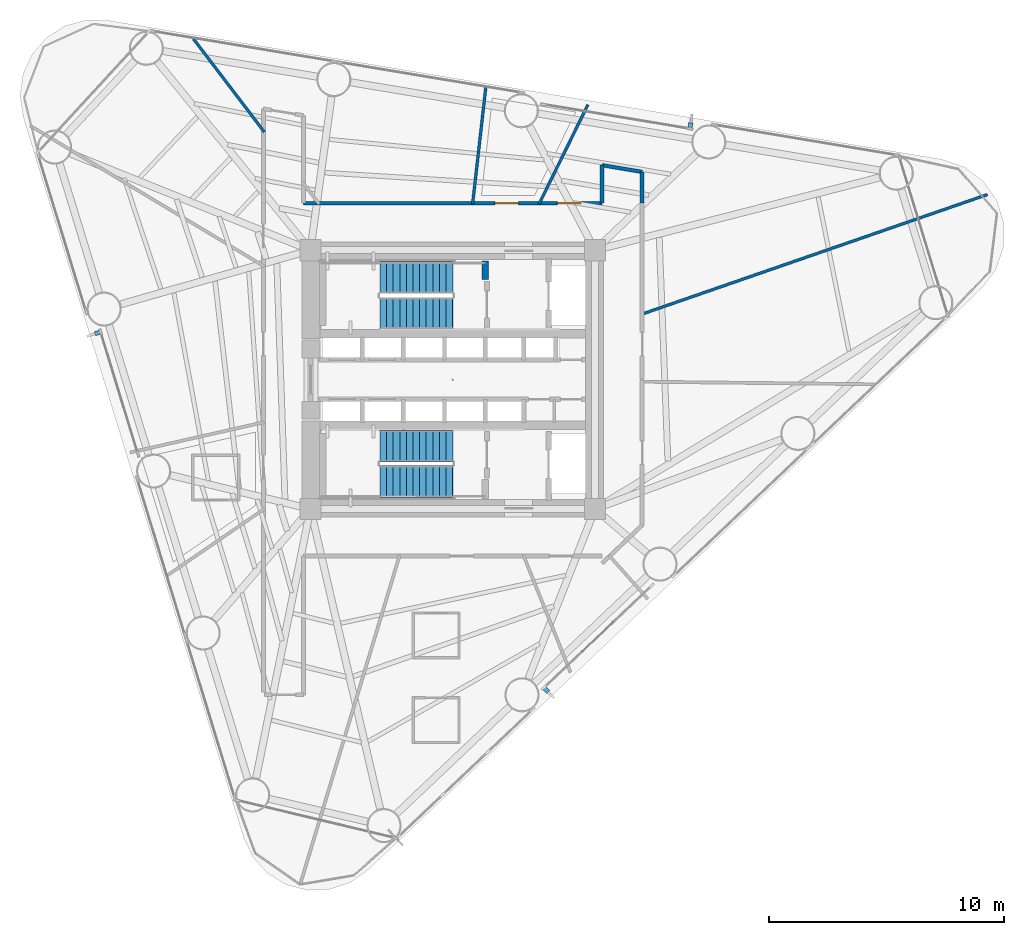
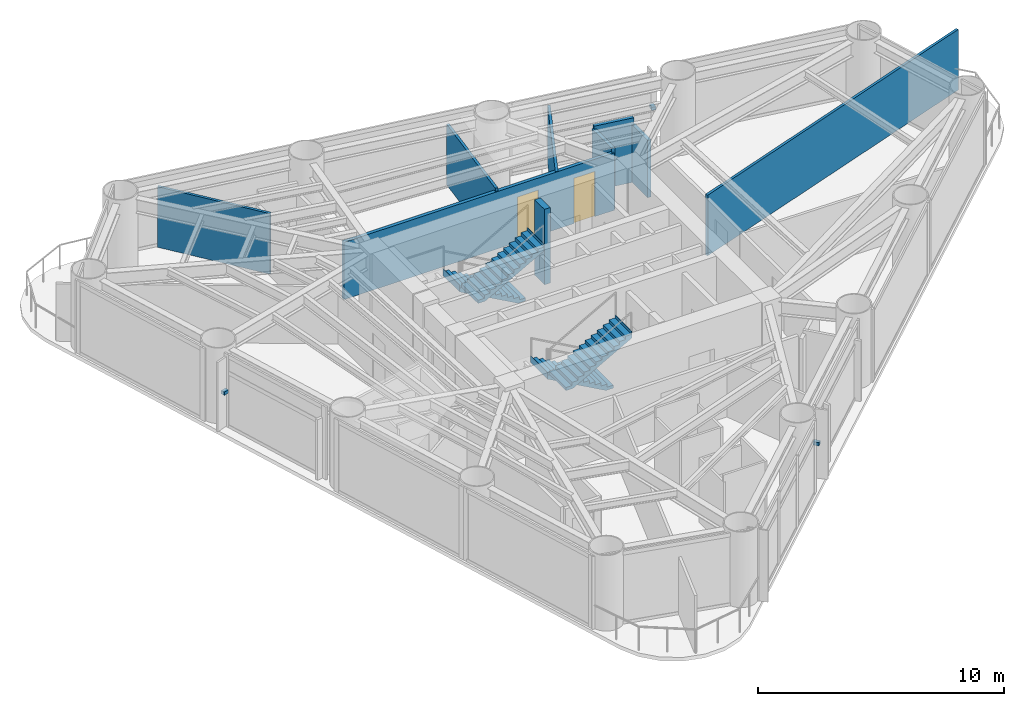
# One storey, part 7 of 10: 9 walls, 4 stair flights, 3 discrete accessories, 2 doors, 2 openings, 2 elements without a shape of their own.
"""IFC4 building model written with IfcOpenShell, lengths in metres."""

import ifcopenshell
import ifcopenshell.guid

model = None  # the IFC model being written
_history = None  # IfcOwnerHistory: only IFC2X3 demands one
_inside = {}  # id of a spatial element -> (the spatial element, [elements in it])
_under = {}  # id of a project, library or spatial element -> (it, [spatial elements below it])
_declared = {}  # id of a project -> (the project, [libraries it declares])
_typed = {}  # id of a type object -> (the type object, [elements of that type])
_made_of = {}  # id of a material, layer set ... -> (it, [elements and type objects made of it])


def new_model(schema):
    """Start an empty IFC model of exactly this schema.

    Asked for "IFC4X3", IfcOpenShell would pick the latest addendum, in which some entities
    have other attributes; the version numbers below select the first issue.
    IFC2X3 requires an IfcOwnerHistory on every rooted entity: one is made here for all.
    """
    global model, _history
    if schema == "IFC4X3":
        model = ifcopenshell.file(schema_version=(4, 3, 0, 0))
    else:
        model = ifcopenshell.file(schema=schema)
    _inside.clear()
    _under.clear()
    _declared.clear()
    _typed.clear()
    _made_of.clear()
    _history = None
    if model.schema == "IFC2X3":
        org = make("IfcOrganization", Name="unknown")
        user = make(
            "IfcPersonAndOrganization",
            ThePerson=make("IfcPerson", FamilyName="unknown"),
            TheOrganization=org,
        )
        app = make(
            "IfcApplication",
            ApplicationDeveloper=org,
            Version="unknown",
            ApplicationFullName="unknown",
            ApplicationIdentifier="unknown",
        )
        _history = make(
            "IfcOwnerHistory",
            OwningUser=user,
            OwningApplication=app,
            ChangeAction="ADDED",
            CreationDate=0,
        )
    return model


def make(cls, **values):
    """One entity of the class cls with the attributes given. An attribute that is None is left unset."""
    return model.create_entity(
        cls, **{name: value for name, value in values.items() if value is not None}
    )


def rooted(cls, **values):
    """An entity with a GlobalId (a new one), such as an element, a storey or a relation."""
    return make(cls, GlobalId=ifcopenshell.guid.new(), OwnerHistory=_history, **values)


def si_unit(unit_type, name, prefix=None):
    """IfcSIUnit, for example si_unit("LENGTHUNIT", "METRE", prefix="MILLI")."""
    return make("IfcSIUnit", UnitType=unit_type, Prefix=prefix, Name=name)


def assignment(units):
    """IfcUnitAssignment: the units of a project."""
    return None if units is None else make("IfcUnitAssignment", Units=units)


def point(xyz):
    """IfcCartesianPoint."""
    return None if xyz is None else make("IfcCartesianPoint", Coordinates=xyz)


def direction(xyz):
    """IfcDirection."""
    return None if xyz is None else make("IfcDirection", DirectionRatios=xyz)


def frame(location, z_axis=None, x_axis=None):
    """IfcAxis2Placement3D, a coordinate frame: its origin and axes. An axis left out is left unset."""
    return make(
        "IfcAxis2Placement3D",
        Location=point(location),
        Axis=direction(z_axis),
        RefDirection=direction(x_axis),
    )


def frame_2d(location, x_axis=None):
    """IfcAxis2Placement2D, a coordinate frame in the plane: its origin and x axis."""
    return make(
        "IfcAxis2Placement2D", Location=point(location), RefDirection=direction(x_axis)
    )


def origin():
    """The frame at (0, 0, 0) with its axes left unset."""
    return frame((0.0, 0.0, 0.0))


def origin_2d():
    """The frame at (0, 0) in the plane with its x axis left unset."""
    return frame_2d((0.0, 0.0))


def place(relative_to, where):
    """IfcLocalPlacement: puts the frame where relative to a parent placement (None: the world)."""
    return make(
        "IfcLocalPlacement", PlacementRelTo=relative_to, RelativePlacement=where
    )


def context(
    kind, dimensions, precision=None, world=None, true_north=None, identifier=None
):
    """IfcGeometricRepresentationContext, for example the 3D "Model" context."""
    return make(
        "IfcGeometricRepresentationContext",
        ContextIdentifier=identifier,
        ContextType=kind,
        CoordinateSpaceDimension=dimensions,
        Precision=precision,
        WorldCoordinateSystem=world,
        TrueNorth=true_north,
    )


def subcontext(parent, identifier, kind, view, scale=None):
    """IfcGeometricRepresentationSubContext, for example "Body" below "Model"."""
    return make(
        "IfcGeometricRepresentationSubContext",
        ContextIdentifier=identifier,
        ContextType=kind,
        ParentContext=parent,
        TargetScale=scale,
        TargetView=view,
    )


def project(units=None, contexts=None):
    """IfcProject with its units and contexts."""
    return rooted(
        "IfcProject",
        Name="project",
        RepresentationContexts=contexts,
        UnitsInContext=assignment(units),
    )


def spatial(cls, under=None, at=None, **own):
    """A site, building, storey or space (cls), placed at a placement, below another one or the project."""
    s = rooted(cls, ObjectPlacement=at, **own)
    if under is not None:
        _under.setdefault(under.id(), (under, []))[1].append(s)
    return s


def polyline(points):
    """IfcPolyline through the points."""
    return make("IfcPolyline", Points=[point(p) for p in points])


def profile(cls, at=None, kind="AREA", **sizes):
    """A parametric profile (cls). Its sizes go by their IFC names, for example OverallWidth=200.0."""
    return make(cls, ProfileType=kind, Position=at, **sizes)


def rectangle(**sizes):
    """IfcRectangleProfileDef."""
    return profile("IfcRectangleProfileDef", **sizes)


def outline(outer, holes=None, kind="AREA"):
    """IfcArbitraryClosedProfileDef: a profile drawn as a closed curve; with holes, ...WithVoids."""
    if holes is None:
        return make("IfcArbitraryClosedProfileDef", ProfileType=kind, OuterCurve=outer)
    return make(
        "IfcArbitraryProfileDefWithVoids",
        ProfileType=kind,
        OuterCurve=outer,
        InnerCurves=holes,
    )


def extrude(swept, where, along, depth):
    """IfcExtrudedAreaSolid: the profile swept, set in the frame where, extruded along a direction by depth."""
    return make(
        "IfcExtrudedAreaSolid",
        SweptArea=swept,
        Position=where,
        ExtrudedDirection=direction(along),
        Depth=depth,
    )


def shape(context_of_items, identifier, shape_type, items):
    """IfcShapeRepresentation: the items that make up one representation, for example the "Body"."""
    return make(
        "IfcShapeRepresentation",
        ContextOfItems=context_of_items,
        RepresentationIdentifier=identifier,
        RepresentationType=shape_type,
        Items=items,
    )


def source(mapping_origin, context_of_items, identifier, shape_type, items):
    """IfcRepresentationMap: a shape defined once, which mapped items show again and again."""
    return make(
        "IfcRepresentationMap",
        MappingOrigin=mapping_origin,
        MappedRepresentation=shape(context_of_items, identifier, shape_type, items),
    )


def transform(
    local_origin,
    x_axis=None,
    y_axis=None,
    z_axis=None,
    scale=None,
    scale2=None,
    scale3=None,
    uniform=True,
):
    """IfcCartesianTransformationOperator3D, or its non-uniform kind. x_axis, y_axis, z_axis: its Axis1, 2, 3."""
    if uniform:
        return make(
            "IfcCartesianTransformationOperator3D",
            Axis1=direction(x_axis),
            Axis2=direction(y_axis),
            LocalOrigin=point(local_origin),
            Scale=scale,
            Axis3=direction(z_axis),
        )
    return make(
        "IfcCartesianTransformationOperator3DnonUniform",
        Axis1=direction(x_axis),
        Axis2=direction(y_axis),
        LocalOrigin=point(local_origin),
        Scale=scale,
        Axis3=direction(z_axis),
        Scale2=scale2,
        Scale3=scale3,
    )


def mapped(mapping_source, mapping_target):
    """IfcMappedItem: shows the shape of a source again, moved by a transform."""
    return make(
        "IfcMappedItem", MappingSource=mapping_source, MappingTarget=mapping_target
    )


def material(Name=None, Category=None):
    """IfcMaterial."""
    return make("IfcMaterial", Name=Name, Category=Category)


def layer(
    of_material, thickness, ventilated=None, Name=None, Category=None, Priority=None
):
    """IfcMaterialLayer: one layer of a wall or slab, of a material (None: an air gap)."""
    return make(
        "IfcMaterialLayer",
        Material=of_material,
        LayerThickness=thickness,
        IsVentilated=ventilated,
        Name=Name,
        Category=Category,
        Priority=Priority,
    )


def layer_set(layers, Name=None):
    """IfcMaterialLayerSet."""
    return make("IfcMaterialLayerSet", MaterialLayers=layers, LayerSetName=Name)


def made_of(thing, what):
    """Note that an element or type object is made of a material, layer set ...; save() writes the relation."""
    if what is not None:
        _made_of.setdefault(what.id(), (what, []))[1].append(thing)
    return thing


def type_object(cls, material=None, **own):
    """A type object (cls), such as IfcWallType, which elements share."""
    return made_of(rooted(cls, **own), material)


def element(
    cls,
    number,
    at=None,
    inside=None,
    cuts=None,
    type_object=None,
    material=None,
    context=None,
    identifier="Body",
    shape_type=None,
    held_by="IfcProductDefinitionShape",
    body=None,
    shapes=None,
    **own,
):
    """One element of the class cls, such as IfcWall. Its Tag is "e" and its number.

    at: its placement. inside: the storey or other place that contains it. cuts: it is an
    opening in that element (IfcRelVoidsElement). A single representation is given by context,
    identifier, shape_type and body (its items); several are given by shapes. held_by: the class
    of the entity that holds the representations. save() writes the other relations.
    """
    e = rooted(cls, Tag="e%d" % number, ObjectPlacement=at, **own)
    if body is not None:
        shapes = [shape(context, identifier, shape_type, body)]
    if shapes is not None:
        e.Representation = make(held_by, Representations=shapes)
    if inside is not None:
        _inside.setdefault(inside.id(), (inside, []))[1].append(e)
    if cuts is not None:
        rooted(
            "IfcRelVoidsElement", RelatingBuildingElement=cuts, RelatedOpeningElement=e
        )
    if type_object is not None:
        _typed.setdefault(type_object.id(), (type_object, []))[1].append(e)
    return made_of(e, material)


def fill(opening, filler):
    """IfcRelFillsElement: the door or window that sits in an opening."""
    return rooted(
        "IfcRelFillsElement",
        RelatingOpeningElement=opening,
        RelatedBuildingElement=filler,
    )


def aggregate(whole, parts):
    """IfcRelAggregates: a whole, such as a stair, and the parts it consists of."""
    return rooted("IfcRelAggregates", RelatingObject=whole, RelatedObjects=parts)


def save(model, path):
    """Write the relations noted so far, then the file.

    IfcRelAggregates (storeys below a building ...), IfcRelContainedInSpatialStructure (elements
    in a storey), IfcRelDefinesByType, IfcRelAssociatesMaterial and IfcRelDeclares: one each for
    every whole, place, type object, material and project.
    """
    for whole, parts in _under.values():
        aggregate(whole, parts)
    for where, things in _inside.values():
        rooted(
            "IfcRelContainedInSpatialStructure",
            RelatedElements=things,
            RelatingStructure=where,
        )
    for kind, things in _typed.values():
        rooted("IfcRelDefinesByType", RelatedObjects=things, RelatingType=kind)
    for what, things in _made_of.values():
        rooted("IfcRelAssociatesMaterial", RelatedObjects=things, RelatingMaterial=what)
    for by, libraries in _declared.values():
        rooted("IfcRelDeclares", RelatingContext=by, RelatedDefinitions=libraries)
    model.write(path)


model = new_model("IFC4")

# Units and contexts
model_context = context("Model", 3, precision=1e-05, world=origin(), true_north=direction((0.0, 1.0)))
body_context = subcontext(model_context, "Body", "Model", "MODEL_VIEW")
ifc_project = project(units=[si_unit("LENGTHUNIT", "METRE"), si_unit("AREAUNIT", "SQUARE_METRE"), si_unit("VOLUMEUNIT", "CUBIC_METRE"), si_unit("PLANEANGLEUNIT", "RADIAN"), si_unit("MASSUNIT", "GRAM", prefix="KILO")], contexts=[model_context])

# Site, building, storey
site_placement = place(None, origin())
site = spatial("IfcSite", under=ifc_project, at=site_placement, CompositionType="ELEMENT")
building_placement = place(site_placement, origin())
building = spatial("IfcBuilding", under=site, at=building_placement, Name="Yunling Apex Tower", CompositionType="ELEMENT")
storey_placement = place(building_placement, frame((0.0, 0.0, 89.89990234375)))
storey = spatial("IfcBuildingStorey", under=building, at=storey_placement, Name="L22", CompositionType="ELEMENT", Elevation=89.89990234375)

# Wall
ifc_material_1 = material(Name="Concrete C40", Category="concrete")
ifc_layer_1 = layer(ifc_material_1, 0.280029296875)
ifc_layer_set_1 = layer_set([ifc_layer_1], Name="Concrete C40")
wall_type_1 = type_object("IfcWallType", Name="WL-COR-8", PredefinedType="SHEAR", material=ifc_layer_set_1)
wall_1_placement = place(storey_placement, frame((1.3798828125, 4.25, 0.0), z_axis=(0.0, 0.0, 1.0), x_axis=(0.0, 1.0, 0.0)))
element("IfcWall", 1, at=wall_1_placement, inside=storey, type_object=wall_type_1, Name="L22 ST-1 East Landing Bearing Pier", PredefinedType="SHEAR", context=body_context, shape_type="SweptSolid", body=[
    extrude(rectangle(XDim=0.800048828125, YDim=0.280029296875, at=frame_2d((0.39990234375, 0.0))), origin(), (0.0, 0.0, 1.0), 3.75),
])

# Wall, openings, doors
ifc_material_2 = material(Name="Gypsum board acoustic partition")
ifc_layer_2 = layer(ifc_material_2, 0.159912109375)
ifc_layer_set_2 = layer_set([ifc_layer_2], Name="Gypsum board acoustic partition")
wall_type_2 = type_object("IfcWallType", Name="WL-PRT-1", PredefinedType="PARTITIONING", material=ifc_layer_set_2)
wall_2_placement = place(storey_placement, frame((-6.35009765625, 7.5, 0.0), z_axis=(0.0, 0.0, 1.0), x_axis=(1.0, 0.0, 0.0)))
wall_2 = element("IfcWall", 2, at=wall_2_placement, inside=storey, type_object=wall_type_2, Name="WL-CORR-L22-07", PredefinedType="PARTITIONING", context=body_context, shape_type="SweptSolid", body=[
    extrude(rectangle(XDim=12.7001953125, YDim=0.159912109375, at=frame_2d((6.35009765625, 0.0))), origin(), (0.0, 0.0, 1.0), 2.85009765625),
])
opening_1_placement = place(wall_2_placement, frame((8.14013671875, 0.0, 0.0)))
opening_1 = element("IfcOpeningElement", 3, at=opening_1_placement, cuts=wall_2, Name="Opening DR-OFF-1", PredefinedType="OPENING", context=body_context, shape_type="SweptSolid", body=[
    extrude(rectangle(XDim=1.0, YDim=2.25, at=frame_2d((0.5, 1.125))), frame((0.0, 0.08984375, 0.0), z_axis=(0.0, -1.0, 0.0), x_axis=(1.0, 0.0, 0.0)), (0.0, 0.0, 1.0), 0.179931640625),
])
opening_2_placement = place(wall_2_placement, frame((10.799072265625, 0.0, 0.0)))
opening_2 = element("IfcOpeningElement", 4, at=opening_2_placement, cuts=wall_2, Name="Opening DR-OFF-1", PredefinedType="OPENING", context=body_context, shape_type="SweptSolid", body=[
    extrude(rectangle(XDim=1.0, YDim=2.25, at=frame_2d((0.5, 1.125))), frame((0.0, 0.08984375, 0.0), z_axis=(0.0, -1.0, 0.0), x_axis=(1.0, 0.0, 0.0)), (0.0, 0.0, 1.0), 0.179931640625),
])
ifc_material_3 = material(Name="Bronze anodised aluminium", Category="aluminium")
door_type = type_object("IfcDoorType", Name="DR-OFF-1", OperationType="NOTDEFINED", PredefinedType="DOOR", material=ifc_material_3)
door_1_placement = place(opening_1_placement, origin())
door_1 = element("IfcDoor", 5, at=door_1_placement, inside=storey, type_object=door_type, Name="L22 Administration Staff Room Door", OperationType="SINGLE_SWING_LEFT", OverallHeight=2.25, OverallWidth=1.0, PredefinedType="DOOR", context=body_context, shape_type="SweptSolid", body=[
    extrude(rectangle(XDim=1.0, YDim=2.25, at=frame_2d((0.5, 1.125))), frame((0.0, 0.02490234375, 0.0), z_axis=(0.0, -1.0, 0.0), x_axis=(1.0, 0.0, 0.0)), (0.0, 0.0, 1.0), 0.050048828125),
])
fill(opening_1, door_1)
door_2_placement = place(opening_2_placement, origin())
door_2 = element("IfcDoor", 6, at=door_2_placement, inside=storey, type_object=door_type, Name="L22 Open Plan Office Door", OperationType="SINGLE_SWING_RIGHT", OverallHeight=2.25, OverallWidth=1.0, PredefinedType="DOOR", context=body_context, shape_type="SweptSolid", body=[
    extrude(rectangle(XDim=1.0, YDim=2.25, at=frame_2d((0.5, 1.125))), frame((0.0, 0.02490234375, 0.0), z_axis=(0.0, -1.0, 0.0), x_axis=(1.0, 0.0, 0.0)), (0.0, 0.0, 1.0), 0.050048828125),
])
fill(opening_2, door_2)

# Walls
wall_3_placement = place(storey_placement, frame((6.35009765625, 7.5, 0.0), z_axis=(0.0, 0.0, 1.0), x_axis=(0.0, 1.0, 0.0)))
element("IfcWall", 7, at=wall_3_placement, inside=storey, type_object=wall_type_2, Name="WL-CORR-L22-08", PredefinedType="PARTITIONING", context=body_context, shape_type="SweptSolid", body=[
    extrude(rectangle(XDim=1.613037109375, YDim=0.159912109375, at=frame_2d((0.806640625, 0.0))), origin(), (0.0, 0.0, 1.0), 3.050048828125),
])
wall_4_placement = place(storey_placement, frame((6.35009765625, 9.113037109375, 0.0), z_axis=(0.0, 0.0, 1.0), x_axis=(0.986405407683, -0.164330069354, 0.0)))
element("IfcWall", 8, at=wall_4_placement, inside=storey, type_object=wall_type_2, Name="WL-CORR-L22-09", PredefinedType="PARTITIONING", context=body_context, shape_type="SweptSolid", body=[
    extrude(rectangle(XDim=1.723388671875, YDim=0.159912109375, at=frame_2d((0.86181640625, 0.0))), origin(), (0.0, 0.0, 1.0), 3.2001953125),
])
wall_5_placement = place(storey_placement, frame((8.050048828125, 8.829833984375, 0.0), z_axis=(0.0, 0.0, 1.0), x_axis=(0.0, -1.0, 0.0)))
element("IfcWall", 9, at=wall_5_placement, inside=storey, type_object=wall_type_2, Name="WL-CORR-L22-10", PredefinedType="PARTITIONING", context=body_context, shape_type="SweptSolid", body=[
    extrude(rectangle(XDim=1.329833984375, YDim=0.159912109375, at=frame_2d((0.6650390625, 0.0))), origin(), (0.0, 0.0, 1.0), 2.85009765625),
])
ifc_layer_3 = layer(ifc_material_2, 0.1201171875)
ifc_layer_set_3 = layer_set([ifc_layer_3], Name="Gypsum board acoustic partition")
wall_type_3 = type_object("IfcWallType", Name="WL-PRT-3", PredefinedType="PARTITIONING", material=ifc_layer_set_3)
wall_6_placement = place(storey_placement, frame((8.010009765625, 2.772216796875, 0.0), z_axis=(0.0, 0.0, 1.0), x_axis=(0.944999487284, 0.327071810207, 0.0)))
element("IfcWall", 10, at=wall_6_placement, inside=storey, type_object=wall_type_3, Name="WL-RAD-L22-08", PredefinedType="PARTITIONING", context=body_context, shape_type="SweptSolid", body=[
    extrude(rectangle(XDim=15.5791015625, YDim=0.1201171875, at=frame_2d((7.78955078125, 0.0))), origin(), (0.0, 0.0, 1.0), 3.010009765625),
])
wall_7_placement = place(storey_placement, frame((3.667724609375, 7.4599609375, 0.0), z_axis=(0.0, 0.0, 1.0), x_axis=(0.441212238914, 0.897402785951, 0.0)))
element("IfcWall", 11, at=wall_7_placement, inside=storey, type_object=wall_type_3, Name="WL-RAD-L22-09", PredefinedType="PARTITIONING", context=body_context, shape_type="SweptSolid", body=[
    extrude(rectangle(XDim=4.710693359375, YDim=0.1201171875, at=frame_2d((2.35546875, 0.0))), origin(), (0.0, 0.0, 1.0), 2.85009765625),
])
wall_8_placement = place(storey_placement, frame((0.843994140625, 7.4599609375, 0.0), z_axis=(0.0, 0.0, 1.0), x_axis=(0.112405035284, 0.99366247189, 0.0)))
element("IfcWall", 12, at=wall_8_placement, inside=storey, type_object=wall_type_3, Name="WL-RAD-L22-10", PredefinedType="PARTITIONING", context=body_context, shape_type="SweptSolid", body=[
    extrude(rectangle(XDim=4.982421875, YDim=0.1201171875, at=frame_2d((2.4912109375, 0.0))), origin(), (0.0, 0.0, 1.0), 3.010009765625),
])
wall_9_placement = place(storey_placement, frame((-8.010009765625, 10.52490234375, 0.0), z_axis=(0.0, 0.0, 1.0), x_axis=(-0.605587414203, 0.79577879072, 0.0)))
element("IfcWall", 13, at=wall_9_placement, inside=storey, type_object=wall_type_3, Name="WL-RAD-L22-12", PredefinedType="PARTITIONING", context=body_context, shape_type="SweptSolid", body=[
    extrude(rectangle(XDim=4.9716796875, YDim=0.1201171875, at=frame_2d((2.48583984375, 0.0))), origin(), (0.0, 0.0, 1.0), 3.010009765625),
])

# Stair, stair flights
stair_type = type_object("IfcStairType", Name="ST-TWR-1", PredefinedType="HALF_TURN_STAIR", material=ifc_material_1)
stair_1_placement = place(storey_placement, origin())
stair_1 = element("IfcStair", 14, at=stair_1_placement, inside=storey, type_object=stair_type, Name="L22 North Core Smokeproof Exit Stair ST-1", PredefinedType="HALF_TURN_STAIR")
stair_flight_type = type_object("IfcStairFlightType", Name="SFL-TWR-1", PredefinedType="STRAIGHT", material=ifc_material_1)
stair_flight_1_placement = place(storey_placement, frame((-0.010009765625, 4.330078125, 0.0), z_axis=(0.0, 0.0, 1.0), x_axis=(-1.0, 0.0, 0.0)))
stair_flight_1 = element("IfcStairFlight", 15, at=stair_flight_1_placement, type_object=stair_flight_type, Name="ST-1 flight 1", NumberOfRisers=12, NumberOfTreads=11, PredefinedType="STRAIGHT", RiserHeight=0.15625, TreadLength=0.28, context=body_context, shape_type="SweptSolid", body=[
    extrude(outline(polyline([(-0.011962890625, 0.0), (-0.011962890625, 0.15625), (0.0, 0.15625), (0.280029296875, 0.15625), (0.280029296875, 0.3125), (0.56005859375, 0.3125), (0.56005859375, 0.46875), (0.840087890625, 0.46875), (0.840087890625, 0.625), (1.1201171875, 0.625), (1.1201171875, 0.78125), (1.39990234375, 0.78125), (1.39990234375, 0.9375), (1.679931640625, 0.9375), (1.679931640625, 1.09375), (1.9599609375, 1.09375), (1.9599609375, 1.25), (2.239990234375, 1.25), (2.239990234375, 1.40625), (2.52001953125, 1.40625), (2.52001953125, 1.5625), (2.800048828125, 1.5625), (2.800048828125, 1.71875), (3.080078125, 1.71875), (3.080078125, 1.875), (3.092041015625, 1.875), (3.092041015625, 1.53564453125), (0.328125, 0.0), (-0.011962890625, 0.0)])), frame((0.0, 0.68017578125, 0.0), z_axis=(0.0, -1.0, 0.0), x_axis=(1.0, 0.0, 0.0)), (0.0, 0.0, 1.0), 1.360107421875),
])
stair_flight_2_placement = place(storey_placement, frame((-3.090087890625, 2.820068359375, 1.875), z_axis=(0.0, 0.0, 1.0), x_axis=(1.0, 0.0, 0.0)))
stair_flight_2 = element("IfcStairFlight", 16, at=stair_flight_2_placement, type_object=stair_flight_type, Name="ST-1 flight 2", NumberOfRisers=12, NumberOfTreads=11, PredefinedType="STRAIGHT", RiserHeight=0.15625, TreadLength=0.28, context=body_context, shape_type="SweptSolid", body=[
    extrude(outline(polyline([(-0.011962890625, 0.0), (-0.011962890625, 0.15625), (0.0, 0.15625), (0.280029296875, 0.15625), (0.280029296875, 0.3125), (0.56005859375, 0.3125), (0.56005859375, 0.46875), (0.840087890625, 0.46875), (0.840087890625, 0.625), (1.1201171875, 0.625), (1.1201171875, 0.78125), (1.39990234375, 0.78125), (1.39990234375, 0.9375), (1.679931640625, 0.9375), (1.679931640625, 1.09375), (1.9599609375, 1.09375), (1.9599609375, 1.25), (2.239990234375, 1.25), (2.239990234375, 1.40625), (2.52001953125, 1.40625), (2.52001953125, 1.5625), (2.800048828125, 1.5625), (2.800048828125, 1.71875), (3.080078125, 1.71875), (3.080078125, 1.875), (3.092041015625, 1.875), (3.092041015625, 1.53564453125), (0.328125, 0.0), (-0.011962890625, 0.0)])), frame((0.0, 0.68017578125, 0.0), z_axis=(0.0, -1.0, 0.0), x_axis=(1.0, 0.0, 0.0)), (0.0, 0.0, 1.0), 1.360107421875),
])
aggregate(stair_1, [stair_flight_1, stair_flight_2])

stair_2_placement = place(storey_placement, origin())
stair_2 = element("IfcStair", 17, at=stair_2_placement, inside=storey, type_object=stair_type, Name="L22 South Core Smokeproof Exit Stair ST-2", PredefinedType="HALF_TURN_STAIR")
stair_flight_3_placement = place(storey_placement, frame((-0.010009765625, -2.820068359375, 0.0), z_axis=(0.0, 0.0, 1.0), x_axis=(-1.0, 0.0, 0.0)))
stair_flight_3 = element("IfcStairFlight", 18, at=stair_flight_3_placement, type_object=stair_flight_type, Name="ST-2 flight 1", NumberOfRisers=12, NumberOfTreads=11, PredefinedType="STRAIGHT", RiserHeight=0.15625, TreadLength=0.28, context=body_context, shape_type="SweptSolid", body=[
    extrude(outline(polyline([(-0.011962890625, 0.0), (-0.011962890625, 0.15625), (0.0, 0.15625), (0.280029296875, 0.15625), (0.280029296875, 0.3125), (0.56005859375, 0.3125), (0.56005859375, 0.46875), (0.840087890625, 0.46875), (0.840087890625, 0.625), (1.1201171875, 0.625), (1.1201171875, 0.78125), (1.39990234375, 0.78125), (1.39990234375, 0.9375), (1.679931640625, 0.9375), (1.679931640625, 1.09375), (1.9599609375, 1.09375), (1.9599609375, 1.25), (2.239990234375, 1.25), (2.239990234375, 1.40625), (2.52001953125, 1.40625), (2.52001953125, 1.5625), (2.800048828125, 1.5625), (2.800048828125, 1.71875), (3.080078125, 1.71875), (3.080078125, 1.875), (3.092041015625, 1.875), (3.092041015625, 1.53564453125), (0.328125, 0.0), (-0.011962890625, 0.0)])), frame((0.0, 0.68017578125, 0.0), z_axis=(0.0, -1.0, 0.0), x_axis=(1.0, 0.0, 0.0)), (0.0, 0.0, 1.0), 1.360107421875),
])
stair_flight_4_placement = place(storey_placement, frame((-3.090087890625, -4.330078125, 1.875), z_axis=(0.0, 0.0, 1.0), x_axis=(1.0, 0.0, 0.0)))
stair_flight_4 = element("IfcStairFlight", 19, at=stair_flight_4_placement, type_object=stair_flight_type, Name="ST-2 flight 2", NumberOfRisers=12, NumberOfTreads=11, PredefinedType="STRAIGHT", RiserHeight=0.15625, TreadLength=0.28, context=body_context, shape_type="SweptSolid", body=[
    extrude(outline(polyline([(-0.011962890625, 0.0), (-0.011962890625, 0.15625), (0.0, 0.15625), (0.280029296875, 0.15625), (0.280029296875, 0.3125), (0.56005859375, 0.3125), (0.56005859375, 0.46875), (0.840087890625, 0.46875), (0.840087890625, 0.625), (1.1201171875, 0.625), (1.1201171875, 0.78125), (1.39990234375, 0.78125), (1.39990234375, 0.9375), (1.679931640625, 0.9375), (1.679931640625, 1.09375), (1.9599609375, 1.09375), (1.9599609375, 1.25), (2.239990234375, 1.25), (2.239990234375, 1.40625), (2.52001953125, 1.40625), (2.52001953125, 1.5625), (2.800048828125, 1.5625), (2.800048828125, 1.71875), (3.080078125, 1.71875), (3.080078125, 1.875), (3.092041015625, 1.875), (3.092041015625, 1.53564453125), (0.328125, 0.0), (-0.011962890625, 0.0)])), frame((0.0, 0.68017578125, 0.0), z_axis=(0.0, -1.0, 0.0), x_axis=(1.0, 0.0, 0.0)), (0.0, 0.0, 1.0), 1.360107421875),
])
aggregate(stair_2, [stair_flight_3, stair_flight_4])

# Discrete accessories
ifc_material_4 = material(Name="Steel Q355B", Category="steel")
discrete_accessory_type = type_object("IfcDiscreteAccessoryType", Name="BK-FIN-1", PredefinedType="BRACKET", material=ifc_material_4)
shared_shape = source(origin(), body_context, "Body", "SweptSolid", [
    extrude(rectangle(XDim=0.179931640625, YDim=0.260009765625, at=origin_2d()), origin(), (0.0, 0.0, 1.0), 0.159912109375),
])
for number, where, z_axis, x_axis, name in (
    (20, (3.9658203125, -13.191162109375, 1.70263671875), (0.0, 0.0, 1.0), (0.725854756355, 0.687848001144, 0.0), "CW-L22-F1-B2-BRK-01-1"),
    (21, (10.10009765625, 10.789306640625, 1.70263671875), (0.0, 0.0, 1.0), (-0.986400586142, 0.164359008451, 0.0), "CW-L22-F2-B2-BRK-01-1"),
    (22, (-15.0888671875, 1.988037109375, 1.70263671875), (0.0, 0.0, 1.0), (0.292371704723, -0.956304755963, 0.0), "CW-L22-F3-B2-BRK-01-1"),
):
    element("IfcDiscreteAccessory", number, at=place(storey_placement, frame(where, z_axis=z_axis, x_axis=x_axis)), inside=storey, type_object=discrete_accessory_type, Name=name, PredefinedType="BRACKET", context=body_context, shape_type="MappedRepresentation", body=[
        mapped(shared_shape, transform((0.0, 0.0, 0.0), scale=1.0)),
    ])

save(model, "model.ifc")
